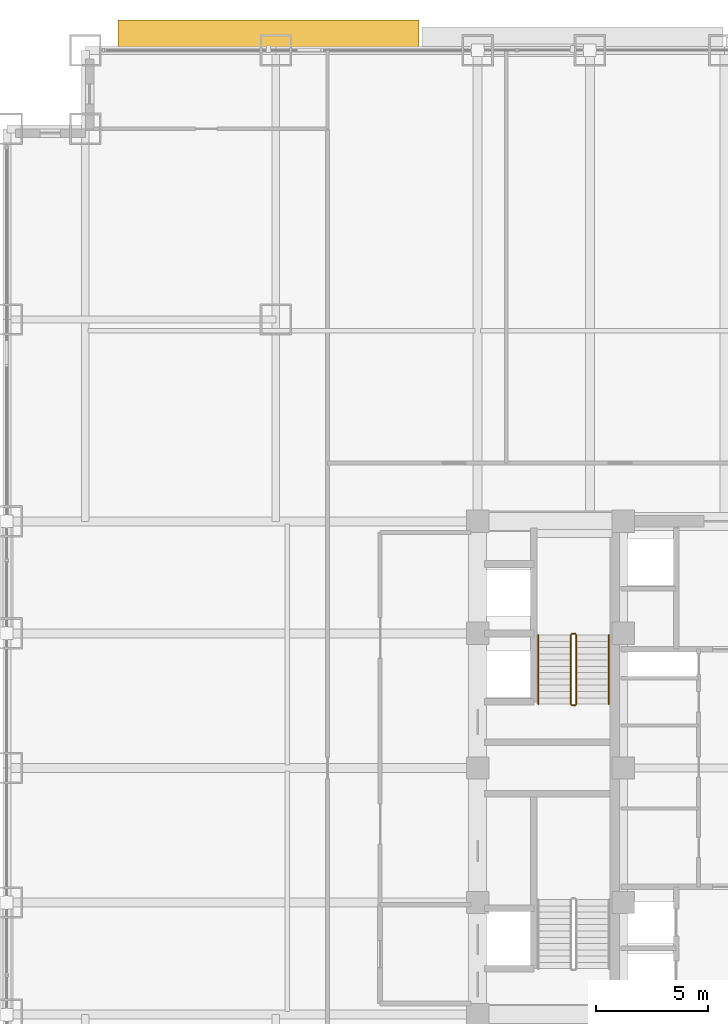
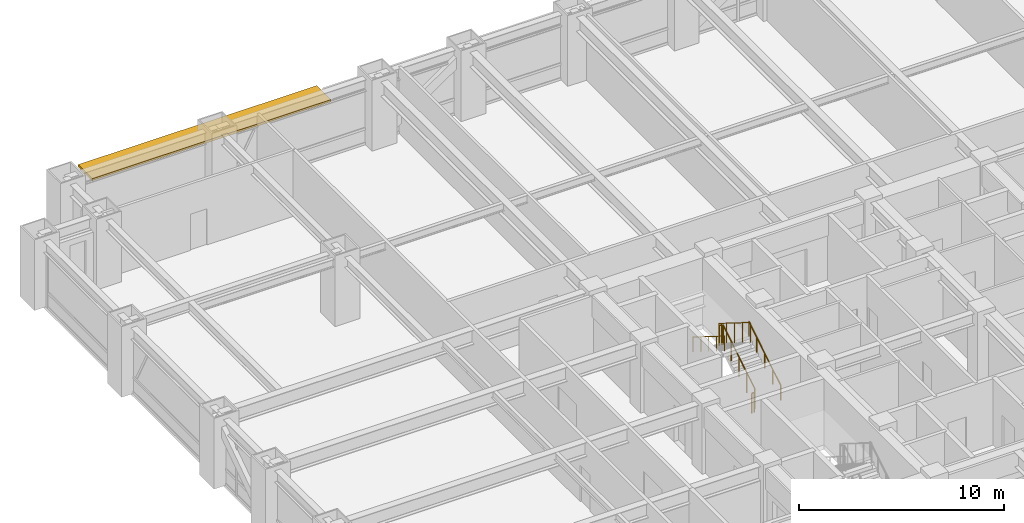
# One storey, part 30 of 31: 6 railings, 1 shading device.
"""IFC4 building model written with IfcOpenShell, lengths in metres."""

from ifc_helpers import new_model, si_unit, direction, frame, origin, origin_2d, place, context, subcontext, project, spatial, rectangle, circle, extrude, source, transform, mapped, material, layer, layer_set, type_object, element, save


model = new_model("IFC4")

# Units and contexts
model_context = context("Model", 3, precision=1e-05, world=origin(), true_north=direction((0.0, 1.0)))
body_context = subcontext(model_context, "Body", "Model", "MODEL_VIEW")
ifc_project = project(units=[si_unit("LENGTHUNIT", "METRE"), si_unit("AREAUNIT", "SQUARE_METRE"), si_unit("VOLUMEUNIT", "CUBIC_METRE"), si_unit("PLANEANGLEUNIT", "RADIAN"), si_unit("MASSUNIT", "GRAM", prefix="KILO")], contexts=[model_context])

# Site, building, storey
site_placement = place(None, origin())
site = spatial("IfcSite", under=ifc_project, at=site_placement, CompositionType="ELEMENT")
building_placement = place(site_placement, origin())
building = spatial("IfcBuilding", under=site, at=building_placement, Name="Khorayat Bourse Tower", CompositionType="ELEMENT")
storey_placement = place(building_placement, frame((0.0, 0.0, 32.60009765625)))
storey = spatial("IfcBuildingStorey", under=building, at=storey_placement, Name="L06", CompositionType="ELEMENT", Elevation=32.60009765625)

# Shading device
ifc_material_1 = material(Name="Precast concrete C45/55", Category="concrete")
ifc_layer = layer(ifc_material_1, 0.139892578125)
ifc_layer_set = layer_set([ifc_layer], Name="Precast concrete C45/55")
shading_device_type = type_object("IfcShadingDeviceType", Name="SHD-WAVE-TRAY-B", PredefinedType="USERDEFINED", material=ifc_layer_set)
shared_shape_1 = source(origin(), body_context, "Body", "SweptSolid", [
    extrude(rectangle(XDim=13.409912109375, YDim=1.375244140625, at=origin_2d()), origin(), (0.0, 0.0, 1.0), 0.139892578125),
])
shading_device_placement = place(storey_placement, frame((-20.324951171875, 32.667724609375, 3.18994140625), z_axis=(0.0, 0.0, 1.0), x_axis=(1.0, 0.0, 0.0)))
element("IfcShadingDevice", 1, at=shading_device_placement, inside=storey, type_object=shading_device_type, Name="L06 Sinusoidal Wave Sunshade Tray N-1", ObjectType="SUNSHADE", PredefinedType="USERDEFINED", context=body_context, shape_type="MappedRepresentation", body=[
    mapped(shared_shape_1, transform((0.0, 0.0, 0.0), scale=1.0)),
])

# Railings
ifc_material_2 = material(Name="Powder-coated steel balustrade", Category="steel")
railing_type_1 = type_object("IfcRailingType", Name="RLG-GUARD-1200", PredefinedType="GUARDRAIL", material=ifc_material_2)
shared_shape_2 = source(origin(), body_context, "Body", "SweptSolid", [
    extrude(circle(Radius=0.02392578125, at=origin_2d()), frame((0.0, 0.0, 1.17578125), z_axis=(-1.0, 0.0, 0.0), x_axis=(0.0, -1.0, 0.0)), (0.0, 0.0, 1.0), 0.150146484375),
    extrude(circle(Radius=0.02099609375, at=origin_2d()), origin(), (0.0, 0.0, 1.0), 1.15185546875),
    extrude(circle(Radius=0.02099609375, at=origin_2d()), frame((-0.150146484375, 0.0, 0.0)), (0.0, 0.0, 1.0), 1.15185546875),
])
for number, where, name in (
    (2, (-6.64990234375, 5.97998046875, 2.099853515625), "L06 ST-2 stair guard 2"),
    (3, (-6.64990234375, 2.800048828125, 0.0), "L06 ST-2 stair guard 4"),
):
    element("IfcRailing", number, at=place(storey_placement, frame(where)), inside=storey, type_object=railing_type_1, Name=name, PredefinedType="GUARDRAIL", context=body_context, shape_type="MappedRepresentation", body=[
        mapped(shared_shape_2, transform((0.0, 0.0, 0.0), scale=1.0)),
    ])
shared_shape_3 = source(origin(), body_context, "Body", "SweptSolid", [
    extrude(circle(Radius=0.02392578125, at=origin_2d()), frame((0.0, 0.0, 1.17578125), z_axis=(0.0, 0.847979421464, 0.530029150871), x_axis=(-1.0, 0.0, 0.0)), (0.0, 0.0, 1.0), 3.632080078125),
    extrude(circle(Radius=0.02099609375, at=origin_2d()), origin(), (0.0, 0.0, 1.0), 1.15185546875),
    extrude(circle(Radius=0.02099609375, at=origin_2d()), frame((0.0, 0.77001953125, 0.481201171875)), (0.0, 0.0, 1.0), 1.15185546875),
    extrude(circle(Radius=0.02099609375, at=origin_2d()), frame((0.0, 1.5400390625, 0.96240234375)), (0.0, 0.0, 1.0), 1.15185546875),
    extrude(circle(Radius=0.02099609375, at=origin_2d()), frame((0.0, 2.309814453125, 1.44384765625)), (0.0, 0.0, 1.0), 1.15185546875),
    extrude(circle(Radius=0.02099609375, at=origin_2d()), frame((0.0, 3.079833984375, 1.925048828125)), (0.0, 0.0, 1.0), 1.15185546875),
])
railing_1_placement = place(storey_placement, frame((-6.60009765625, 2.85009765625, 0.1748046875)))
element("IfcRailing", 4, at=railing_1_placement, inside=storey, type_object=railing_type_1, Name="L06 ST-2 stair guard 1", PredefinedType="GUARDRAIL", context=body_context, shape_type="MappedRepresentation", body=[
    mapped(shared_shape_3, transform((0.0, 0.0, 0.0), scale=1.0)),
])
shared_shape_4 = source(origin(), body_context, "Body", "SweptSolid", [
    extrude(circle(Radius=0.02392578125, at=origin_2d()), frame((0.0, 0.0, 1.17578125), z_axis=(0.0, -0.847979421464, 0.530029150871), x_axis=(1.0, 0.0, 0.0)), (0.0, 0.0, 1.0), 3.632080078125),
    extrude(circle(Radius=0.02099609375, at=origin_2d()), origin(), (0.0, 0.0, 1.0), 1.15185546875),
    extrude(circle(Radius=0.02099609375, at=origin_2d()), frame((0.0, -0.77001953125, 0.481201171875)), (0.0, 0.0, 1.0), 1.15185546875),
    extrude(circle(Radius=0.02099609375, at=origin_2d()), frame((0.0, -1.5400390625, 0.96240234375)), (0.0, 0.0, 1.0), 1.15185546875),
    extrude(circle(Radius=0.02099609375, at=origin_2d()), frame((0.0, -2.309814453125, 1.44384765625)), (0.0, 0.0, 1.0), 1.15185546875),
    extrude(circle(Radius=0.02099609375, at=origin_2d()), frame((0.0, -3.079833984375, 1.925048828125)), (0.0, 0.0, 1.0), 1.15185546875),
])
railing_2_placement = place(storey_placement, frame((-6.85009765625, 5.929931640625, 2.27490234375)))
element("IfcRailing", 5, at=railing_2_placement, inside=storey, type_object=railing_type_1, Name="L06 ST-2 stair guard 3", PredefinedType="GUARDRAIL", context=body_context, shape_type="MappedRepresentation", body=[
    mapped(shared_shape_4, transform((0.0, 0.0, 0.0), scale=1.0)),
])
ifc_material_3 = material(Name="Brushed bronze stainless-steel handrail", Category="steel")
railing_type_2 = type_object("IfcRailingType", Name="RLG-HAND-900", PredefinedType="HANDRAIL", material=ifc_material_3)
shared_shape_5 = source(origin(), body_context, "Body", "SweptSolid", [
    extrude(circle(Radius=0.02392578125, at=origin_2d()), frame((0.0, 0.0, 0.8759765625), z_axis=(0.0, 0.847979421464, 0.530029150871), x_axis=(-1.0, 0.0, 0.0)), (0.0, 0.0, 1.0), 3.632080078125),
    extrude(circle(Radius=0.02099609375, at=origin_2d()), origin(), (0.0, 0.0, 1.0), 0.851806640625),
    extrude(circle(Radius=0.02099609375, at=origin_2d()), frame((0.0, 0.77001953125, 0.481201171875)), (0.0, 0.0, 1.0), 0.851806640625),
    extrude(circle(Radius=0.02099609375, at=origin_2d()), frame((0.0, 1.5400390625, 0.96240234375)), (0.0, 0.0, 1.0), 0.851806640625),
    extrude(circle(Radius=0.02099609375, at=origin_2d()), frame((0.0, 2.309814453125, 1.44384765625)), (0.0, 0.0, 1.0), 0.851806640625),
    extrude(circle(Radius=0.02099609375, at=origin_2d()), frame((0.0, 3.079833984375, 1.925048828125)), (0.0, 0.0, 1.0), 0.851806640625),
])
railing_3_placement = place(storey_placement, frame((-5.14990234375, 2.85009765625, 0.1748046875)))
element("IfcRailing", 6, at=railing_3_placement, inside=storey, type_object=railing_type_2, Name="L06 ST-2 stair handrail 1", PredefinedType="HANDRAIL", context=body_context, shape_type="MappedRepresentation", body=[
    mapped(shared_shape_5, transform((0.0, 0.0, 0.0), scale=1.0)),
])
shared_shape_6 = source(origin(), body_context, "Body", "SweptSolid", [
    extrude(circle(Radius=0.02392578125, at=origin_2d()), frame((0.0, 0.0, 0.8759765625), z_axis=(0.0, -0.847979421464, 0.530029150871), x_axis=(1.0, 0.0, 0.0)), (0.0, 0.0, 1.0), 3.632080078125),
    extrude(circle(Radius=0.02099609375, at=origin_2d()), origin(), (0.0, 0.0, 1.0), 0.851806640625),
    extrude(circle(Radius=0.02099609375, at=origin_2d()), frame((0.0, -0.77001953125, 0.481201171875)), (0.0, 0.0, 1.0), 0.851806640625),
    extrude(circle(Radius=0.02099609375, at=origin_2d()), frame((0.0, -1.5400390625, 0.96240234375)), (0.0, 0.0, 1.0), 0.851806640625),
    extrude(circle(Radius=0.02099609375, at=origin_2d()), frame((0.0, -2.309814453125, 1.44384765625)), (0.0, 0.0, 1.0), 0.851806640625),
    extrude(circle(Radius=0.02099609375, at=origin_2d()), frame((0.0, -3.079833984375, 1.925048828125)), (0.0, 0.0, 1.0), 0.851806640625),
])
railing_4_placement = place(storey_placement, frame((-8.300048828125, 5.929931640625, 2.27490234375)))
element("IfcRailing", 7, at=railing_4_placement, inside=storey, type_object=railing_type_2, Name="L06 ST-2 stair handrail 2", PredefinedType="HANDRAIL", context=body_context, shape_type="MappedRepresentation", body=[
    mapped(shared_shape_6, transform((0.0, 0.0, 0.0), scale=1.0)),
])

save(model, "model.ifc")
